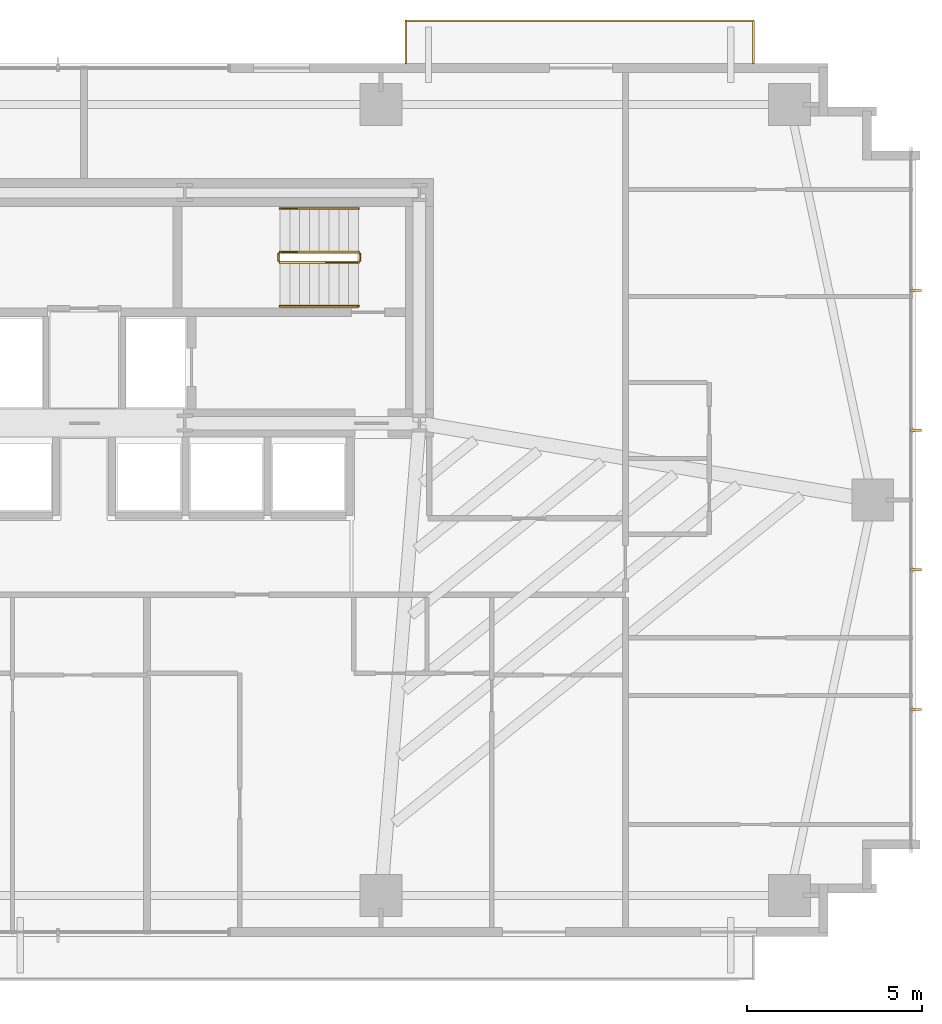
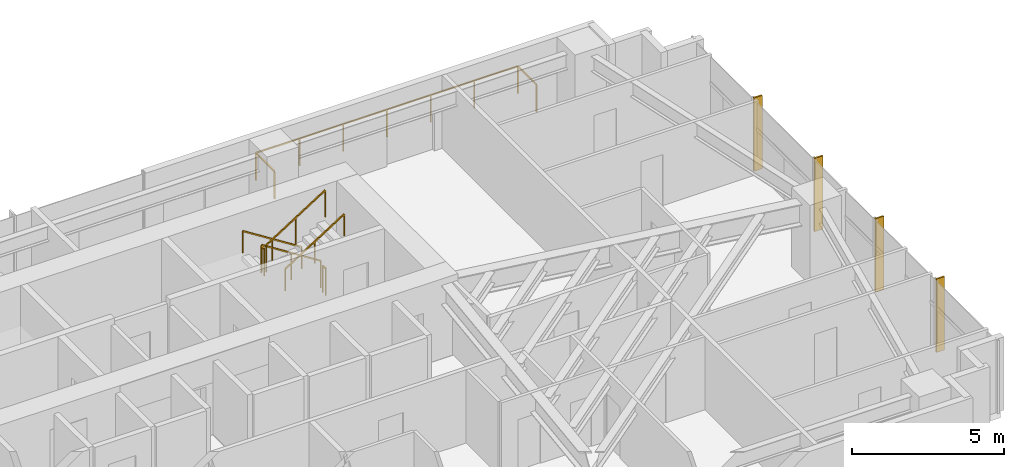
# One storey, part 25 of 25: 7 railings, 4 shading devices.
"""IFC4 building model written with IfcOpenShell, lengths in metres."""

from ifc_helpers import new_model, si_unit, direction, frame, origin, origin_2d, place, context, subcontext, project, spatial, rectangle, extrude, source, transform, mapped, material, type_object, type_shapes, element, save


model = new_model("IFC4")

# Units and contexts
model_context = context("Model", 3, precision=1e-05, world=origin(), true_north=direction((0.0, 1.0)))
body_context = subcontext(model_context, "Body", "Model", "MODEL_VIEW")
ifc_project = project(units=[si_unit("LENGTHUNIT", "METRE"), si_unit("AREAUNIT", "SQUARE_METRE"), si_unit("VOLUMEUNIT", "CUBIC_METRE"), si_unit("PLANEANGLEUNIT", "RADIAN"), si_unit("MASSUNIT", "GRAM", prefix="KILO")], contexts=[model_context])

# Site, building, storey
site_placement = place(None, origin())
site = spatial("IfcSite", under=ifc_project, at=site_placement, CompositionType="ELEMENT")
building_placement = place(site_placement, origin())
building = spatial("IfcBuilding", under=site, at=building_placement, Name="Astriad Promenade Condominiums", CompositionType="ELEMENT")
storey_placement = place(building_placement, frame((0.0, 0.0, 39.0)))
storey = spatial("IfcBuildingStorey", under=building, at=storey_placement, Name="L10", CompositionType="ELEMENT", Elevation=39.0)

# Shading devices
ifc_material_1 = material(Name="Anodised aluminium 6063-T6 Black Fin", Category="aluminium")
shading_device_type = type_object("IfcShadingDeviceType", Name="FIN-BLACK-320", PredefinedType="USERDEFINED", material=ifc_material_1)
shared_shape_1 = source(origin(), body_context, "Body", "SweptSolid", [
    extrude(rectangle(XDim=0.06494140625, YDim=0.320068359375, at=origin_2d()), origin(), (0.0, 0.0, 1.0), 2.93994140625),
])
type_shapes(shading_device_type, [shared_shape_1])
for number, where, z_axis, x_axis, name in (
    (1, (59.81005859375, 21.199951171875, 0.0), (0.0, 0.0, 1.0), (0.0, -1.0, 0.0), "CW-L10-E-FIN-01"),
    (2, (59.81005859375, 17.199951171875, 0.0), (0.0, 0.0, 1.0), (0.0, -1.0, 0.0), "CW-L10-E-FIN-02"),
    (3, (59.81005859375, 13.199951171875, 0.0), (0.0, 0.0, 1.0), (0.0, -1.0, 0.0), "CW-L10-E-FIN-03"),
    (4, (59.81005859375, 9.199951171875, 0.0), (0.0, 0.0, 1.0), (0.0, -1.0, 0.0), "CW-L10-E-FIN-04"),
):
    element("IfcShadingDevice", number, at=place(storey_placement, frame(where, z_axis=z_axis, x_axis=x_axis)), inside=storey, type_object=shading_device_type, Name=name, ObjectType="FIN", PredefinedType="USERDEFINED", context=body_context, shape_type="MappedRepresentation", body=[
        mapped(shared_shape_1, transform((0.0, 0.0, 0.0), scale=1.0)),
    ])

# Railings
ifc_material_2 = material(Name="Laminated Glass and Stainless Steel Balustrade", Category="steel")
railing_type_1 = type_object("IfcRailingType", Name="GRD-BALC-1120", PredefinedType="BALUSTRADE", material=ifc_material_2)
shared_shape_2 = source(origin(), body_context, "Body", "SweptSolid", [
    extrude(rectangle(XDim=0.048095703125, YDim=0.048095703125, at=origin_2d()), frame((0.0, 0.0, 1.09619140625), z_axis=(0.0, 1.0, 0.0), x_axis=(-1.0, 0.0, 0.0)), (0.0, 0.0, 1.0), 1.219970703125),
    extrude(rectangle(XDim=0.048095703125, YDim=0.048095703125, at=origin_2d()), frame((0.0, 1.219970703125, 1.09619140625), z_axis=(-1.0, 0.0, 0.0), x_axis=(0.0, -1.0, 0.0)), (0.0, 0.0, 1.0), 9.9541015625),
    extrude(rectangle(XDim=0.048095703125, YDim=0.048095703125, at=origin_2d()), frame((-9.9541015625, 1.219970703125, 1.09619140625), z_axis=(0.0, -1.0, 0.0), x_axis=(1.0, 0.0, 0.0)), (0.0, 0.0, 1.0), 1.219970703125),
    extrude(rectangle(XDim=0.0419921875, YDim=0.0419921875, at=origin_2d()), origin(), (0.0, 0.0, 1.0), 1.072021484375),
    extrude(rectangle(XDim=0.0419921875, YDim=0.0419921875, at=origin_2d()), frame((0.0, 1.219970703125, 0.0)), (0.0, 0.0, 1.0), 1.072021484375),
    extrude(rectangle(XDim=0.0419921875, YDim=0.0419921875, at=origin_2d()), frame((-1.658935546875, 1.219970703125, 0.0)), (0.0, 0.0, 1.0), 1.072021484375),
    extrude(rectangle(XDim=0.0419921875, YDim=0.0419921875, at=origin_2d()), frame((-3.318115234375, 1.219970703125, 0.0)), (0.0, 0.0, 1.0), 1.072021484375),
    extrude(rectangle(XDim=0.0419921875, YDim=0.0419921875, at=origin_2d()), frame((-4.97705078125, 1.219970703125, 0.0)), (0.0, 0.0, 1.0), 1.072021484375),
    extrude(rectangle(XDim=0.0419921875, YDim=0.0419921875, at=origin_2d()), frame((-6.635986328125, 1.219970703125, 0.0)), (0.0, 0.0, 1.0), 1.072021484375),
    extrude(rectangle(XDim=0.0419921875, YDim=0.0419921875, at=origin_2d()), frame((-8.295166015625, 1.219970703125, 0.0)), (0.0, 0.0, 1.0), 1.072021484375),
    extrude(rectangle(XDim=0.0419921875, YDim=0.0419921875, at=origin_2d()), frame((-9.9541015625, 1.219970703125, 0.0)), (0.0, 0.0, 1.0), 1.072021484375),
    extrude(rectangle(XDim=0.0419921875, YDim=0.0419921875, at=origin_2d()), frame((-9.9541015625, 0.0, 0.0)), (0.0, 0.0, 1.0), 1.072021484375),
])
type_shapes(railing_type_1, [shared_shape_2])
railing_1_placement = place(storey_placement, frame((55.1640625, 27.699951171875, 0.0)))
element("IfcRailing", 5, at=railing_1_placement, inside=storey, type_object=railing_type_1, Name="GRD-BALC-L10-NE", PredefinedType="BALUSTRADE", context=body_context, shape_type="MappedRepresentation", body=[
    mapped(shared_shape_2, transform((0.0, 0.0, 0.0), scale=1.0)),
])
ifc_material_3 = material(Name="Painted Galvanised Steel Guardrail", Category="steel")
railing_type_2 = type_object("IfcRailingType", Name="GRD-STAIR-1100", PredefinedType="GUARDRAIL", material=ifc_material_3)
shared_shape_3 = source(origin(), body_context, "Body", "SweptSolid", [
    extrude(rectangle(XDim=0.048095703125, YDim=0.048095703125, at=origin_2d()), frame((0.0, 0.0, 1.076171875), z_axis=(0.8442293374, 0.0, 0.53598211339), x_axis=(0.0, 1.0, 0.0)), (0.0, 0.0, 1.0), 2.6533203125),
    extrude(rectangle(XDim=0.0419921875, YDim=0.0419921875, at=origin_2d()), origin(), (0.0, 0.0, 1.0), 1.052001953125),
    extrude(rectangle(XDim=0.0419921875, YDim=0.0419921875, at=origin_2d()), frame((1.1201171875, 0.0, 0.7109375)), (0.0, 0.0, 1.0), 1.052001953125),
    extrude(rectangle(XDim=0.0419921875, YDim=0.0419921875, at=origin_2d()), frame((2.239990234375, 0.0, 1.422119140625)), (0.0, 0.0, 1.0), 1.052001953125),
])
railing_2_placement = place(storey_placement, frame((41.610107421875, 22.0, 1.77783203125)))
element("IfcRailing", 6, at=railing_2_placement, inside=storey, type_object=railing_type_2, Name="L10 ST-2 stair guard 3", PredefinedType="GUARDRAIL", context=body_context, shape_type="MappedRepresentation", body=[
    mapped(shared_shape_3, transform((0.0, 0.0, 0.0), scale=1.0)),
])
shared_shape_4 = source(origin(), body_context, "Body", "SweptSolid", [
    extrude(rectangle(XDim=0.048095703125, YDim=0.048095703125, at=origin_2d()), frame((0.0, 0.0, 1.076171875), z_axis=(-0.84418770128, 0.0, 0.536047689118), x_axis=(0.0, -1.0, 0.0)), (0.0, 0.0, 1.0), 2.6533203125),
    extrude(rectangle(XDim=0.0419921875, YDim=0.0419921875, at=origin_2d()), origin(), (0.0, 0.0, 1.0), 1.052001953125),
    extrude(rectangle(XDim=0.0419921875, YDim=0.0419921875, at=origin_2d()), frame((-1.1201171875, 0.0, 0.711181640625)), (0.0, 0.0, 1.0), 1.052001953125),
    extrude(rectangle(XDim=0.0419921875, YDim=0.0419921875, at=origin_2d()), frame((-2.239990234375, 0.0, 1.42236328125)), (0.0, 0.0, 1.0), 1.052001953125),
])
railing_3_placement = place(storey_placement, frame((43.85009765625, 22.300048828125, 0.177734375)))
element("IfcRailing", 7, at=railing_3_placement, inside=storey, type_object=railing_type_2, Name="L10 ST-2 stair guard 1", PredefinedType="GUARDRAIL", context=body_context, shape_type="MappedRepresentation", body=[
    mapped(shared_shape_4, transform((0.0, 0.0, 0.0), scale=1.0)),
])
ifc_material_4 = material(Name="Brushed Stainless Steel Handrail", Category="steel")
railing_type_3 = type_object("IfcRailingType", Name="HRL-STAIR-920", PredefinedType="HANDRAIL", material=ifc_material_4)
shared_shape_5 = source(origin(), body_context, "Body", "SweptSolid", [
    extrude(rectangle(XDim=0.048095703125, YDim=0.048095703125, at=origin_2d()), frame((0.0, 0.0, 0.8759765625), z_axis=(0.8442293374, 0.0, 0.53598211339), x_axis=(0.0, 1.0, 0.0)), (0.0, 0.0, 1.0), 2.6533203125),
    extrude(rectangle(XDim=0.0419921875, YDim=0.0419921875, at=origin_2d()), origin(), (0.0, 0.0, 1.0), 0.851806640625),
    extrude(rectangle(XDim=0.0419921875, YDim=0.0419921875, at=origin_2d()), frame((1.1201171875, 0.0, 0.7109375)), (0.0, 0.0, 1.0), 0.851806640625),
    extrude(rectangle(XDim=0.0419921875, YDim=0.0419921875, at=origin_2d()), frame((2.239990234375, 0.0, 1.422119140625)), (0.0, 0.0, 1.0), 0.851806640625),
])
railing_4_placement = place(storey_placement, frame((41.610107421875, 20.75, 1.77783203125)))
element("IfcRailing", 8, at=railing_4_placement, inside=storey, type_object=railing_type_3, Name="L10 ST-2 stair handrail 2", PredefinedType="HANDRAIL", context=body_context, shape_type="MappedRepresentation", body=[
    mapped(shared_shape_5, transform((0.0, 0.0, 0.0), scale=1.0)),
])
shared_shape_6 = source(origin(), body_context, "Body", "SweptSolid", [
    extrude(rectangle(XDim=0.048095703125, YDim=0.048095703125, at=origin_2d()), frame((0.0, 0.0, 0.8759765625), z_axis=(-0.84418770128, 0.0, 0.536047689118), x_axis=(0.0, -1.0, 0.0)), (0.0, 0.0, 1.0), 2.6533203125),
    extrude(rectangle(XDim=0.0419921875, YDim=0.0419921875, at=origin_2d()), origin(), (0.0, 0.0, 1.0), 0.851806640625),
    extrude(rectangle(XDim=0.0419921875, YDim=0.0419921875, at=origin_2d()), frame((-1.1201171875, 0.0, 0.711181640625)), (0.0, 0.0, 1.0), 0.851806640625),
    extrude(rectangle(XDim=0.0419921875, YDim=0.0419921875, at=origin_2d()), frame((-2.239990234375, 0.0, 1.42236328125)), (0.0, 0.0, 1.0), 0.851806640625),
])
type_shapes(railing_type_3, [shared_shape_5, shared_shape_6])
railing_5_placement = place(storey_placement, frame((43.85009765625, 23.550048828125, 0.177734375)))
element("IfcRailing", 9, at=railing_5_placement, inside=storey, type_object=railing_type_3, Name="L10 ST-2 stair handrail 1", PredefinedType="HANDRAIL", context=body_context, shape_type="MappedRepresentation", body=[
    mapped(shared_shape_6, transform((0.0, 0.0, 0.0), scale=1.0)),
])
shared_shape_7 = source(origin(), body_context, "Body", "SweptSolid", [
    extrude(rectangle(XDim=0.048095703125, YDim=0.048095703125, at=origin_2d()), frame((0.0, 0.0, 1.076171875), z_axis=(0.0, -1.0, 0.0), x_axis=(1.0, 0.0, 0.0)), (0.0, 0.0, 1.0), 0.199951171875),
    extrude(rectangle(XDim=0.0419921875, YDim=0.0419921875, at=origin_2d()), origin(), (0.0, 0.0, 1.0), 1.052001953125),
    extrude(rectangle(XDim=0.0419921875, YDim=0.0419921875, at=origin_2d()), frame((0.0, -0.199951171875, 0.0)), (0.0, 0.0, 1.0), 1.052001953125),
])
type_shapes(railing_type_2, [shared_shape_3, shared_shape_4, shared_shape_7])
for number, where, name in (
    (10, (41.56005859375, 22.25, 1.60009765625), "L10 ST-2 stair guard 2"),
    (11, (43.89990234375, 22.25, 0.0), "L10 ST-2 stair guard 4"),
):
    element("IfcRailing", number, at=place(storey_placement, frame(where)), inside=storey, type_object=railing_type_2, Name=name, PredefinedType="GUARDRAIL", context=body_context, shape_type="MappedRepresentation", body=[
        mapped(shared_shape_7, transform((0.0, 0.0, 0.0), scale=1.0)),
    ])

save(model, "model.ifc")
